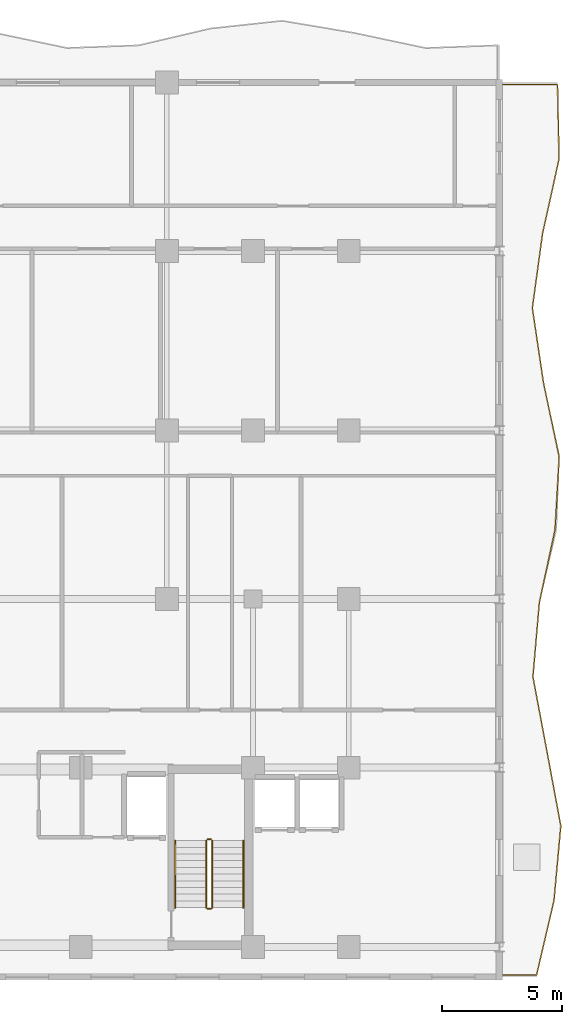
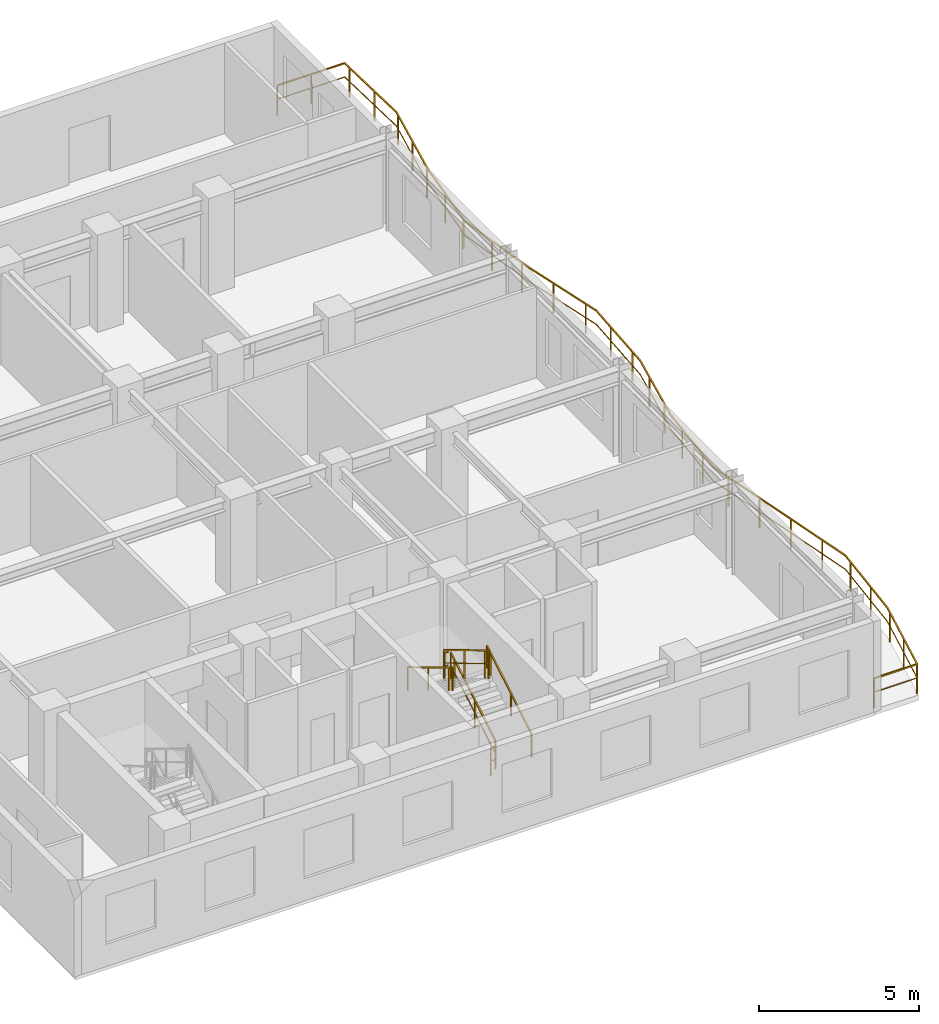
# One storey, part 19 of 20: 7 railings.
"""IFC4 building model written with IfcOpenShell, lengths in metres."""

from ifc_helpers import new_model, si_unit, direction, frame, origin, origin_2d, place, context, subcontext, project, spatial, rectangle, extrude, material, type_object, element, save


model = new_model("IFC4")

# Units and contexts
model_context = context("Model", 3, precision=1e-05, world=origin(), true_north=direction((0.0, 1.0)))
body_context = subcontext(model_context, "Body", "Model", "MODEL_VIEW")
ifc_project = project(units=[si_unit("LENGTHUNIT", "METRE"), si_unit("AREAUNIT", "SQUARE_METRE"), si_unit("VOLUMEUNIT", "CUBIC_METRE"), si_unit("PLANEANGLEUNIT", "RADIAN"), si_unit("MASSUNIT", "GRAM", prefix="KILO")], contexts=[model_context])

# Site, building, storey
site_placement = place(None, origin())
site = spatial("IfcSite", under=ifc_project, at=site_placement, CompositionType="ELEMENT")
building_placement = place(site_placement, origin())
building = spatial("IfcBuilding", under=site, at=building_placement, Name="Kaliganga Portal Commons", CompositionType="ELEMENT")
storey_placement = place(building_placement, frame((0.0, 0.0, 216.60009765625)))
storey = spatial("IfcBuildingStorey", under=building, at=storey_placement, Name="L55", CompositionType="ELEMENT", Elevation=216.60009765625)

# Railings
ifc_material_1 = material(Name="Laminated Safety Glass and Stainless Steel 316", Category="steel")
railing_type_1 = type_object("IfcRailingType", Name="RLG-BAL-1150", PredefinedType="BALUSTRADE", material=ifc_material_1)
railing_1_placement = place(storey_placement, frame((60.70751953125, 5.879638671875, 0.0)))
element("IfcRailing", 1, at=railing_1_placement, inside=storey, type_object=railing_type_1, Name="Balcony Guardrail L55 balc_east", PredefinedType="BALUSTRADE", context=body_context, shape_type="SweptSolid", body=[
    extrude(rectangle(XDim=0.048095703125, YDim=0.048095703125, at=origin_2d()), frame((0.0, 0.0, 1.1259765625), z_axis=(0.999999987654, 0.000157133876, 0.0), x_axis=(-0.000157133876, 0.999999987654, 0.0)), (0.0, 0.0, 1.0), 1.5537109375),
    extrude(rectangle(XDim=0.028076171875, YDim=0.028076171875, at=origin_2d()), frame((0.0, 0.0, 0.597900390625), z_axis=(0.999999987654, 0.000157133876, 0.0), x_axis=(-0.000157133876, 0.999999987654, 0.0)), (0.0, 0.0, 1.0), 1.5537109375),
    extrude(rectangle(XDim=0.048095703125, YDim=0.048095703125, at=origin_2d()), frame((1.5537109375, 0.000244140625, 1.1259765625), z_axis=(0.227972161022, 0.973667650587, 0.0), x_axis=(-0.973667650587, 0.227972161022, 0.0)), (0.0, 0.0, 1.0), 3.200927734375),
    extrude(rectangle(XDim=0.028076171875, YDim=0.028076171875, at=origin_2d()), frame((1.5537109375, 0.000244140625, 0.597900390625), z_axis=(0.227972161022, 0.973667650587, 0.0), x_axis=(-0.973667650587, 0.227972161022, 0.0)), (0.0, 0.0, 1.0), 3.200927734375),
    extrude(rectangle(XDim=0.048095703125, YDim=0.048095703125, at=origin_2d()), frame((2.283447265625, 3.116943359375, 1.1259765625), z_axis=(0.090810075903, 0.995868229293, 0.0), x_axis=(-0.995868229293, 0.090810075903, 0.0)), (0.0, 0.0, 1.0), 3.12939453125),
    extrude(rectangle(XDim=0.028076171875, YDim=0.028076171875, at=origin_2d()), frame((2.283447265625, 3.116943359375, 0.597900390625), z_axis=(0.090810075903, 0.995868229293, 0.0), x_axis=(-0.995868229293, 0.090810075903, 0.0)), (0.0, 0.0, 1.0), 3.12939453125),
    extrude(rectangle(XDim=0.048095703125, YDim=0.048095703125, at=origin_2d()), frame((2.567626953125, 6.2333984375, 1.1259765625), z_axis=(-0.182888876021, 0.983133591648, 0.0), x_axis=(-0.983133591648, -0.182888876021, 0.0)), (0.0, 0.0, 1.0), 3.17041015625),
    extrude(rectangle(XDim=0.028076171875, YDim=0.028076171875, at=origin_2d()), frame((2.567626953125, 6.2333984375, 0.597900390625), z_axis=(-0.182888876021, 0.983133591648, 0.0), x_axis=(-0.983133591648, -0.182888876021, 0.0)), (0.0, 0.0, 1.0), 3.17041015625),
    extrude(rectangle(XDim=0.048095703125, YDim=0.048095703125, at=origin_2d()), frame((1.98779296875, 9.350341796875, 1.1259765625), z_axis=(-0.184688263492, 0.982797153704, 0.0), x_axis=(-0.982797153704, -0.184688263492, 0.0)), (0.0, 0.0, 1.0), 3.171142578125),
    extrude(rectangle(XDim=0.028076171875, YDim=0.028076171875, at=origin_2d()), frame((1.98779296875, 9.350341796875, 0.597900390625), z_axis=(-0.184688263492, 0.982797153704, 0.0), x_axis=(-0.982797153704, -0.184688263492, 0.0)), (0.0, 0.0, 1.0), 3.171142578125),
    extrude(rectangle(XDim=0.048095703125, YDim=0.048095703125, at=origin_2d()), frame((1.402099609375, 12.467041015625, 1.1259765625), z_axis=(0.08623559638, 0.996274772298, 0.0), x_axis=(-0.996274772298, 0.08623559638, 0.0)), (0.0, 0.0, 1.0), 3.12841796875),
    extrude(rectangle(XDim=0.028076171875, YDim=0.028076171875, at=origin_2d()), frame((1.402099609375, 12.467041015625, 0.597900390625), z_axis=(0.08623559638, 0.996274772298, 0.0), x_axis=(-0.996274772298, 0.08623559638, 0.0)), (0.0, 0.0, 1.0), 3.12841796875),
    extrude(rectangle(XDim=0.048095703125, YDim=0.048095703125, at=origin_2d()), frame((1.671875, 15.583740234375, 1.1259765625), z_axis=(0.210259065913, 0.977645705356, 0.0), x_axis=(-0.977645705356, 0.210259065913, 0.0)), (0.0, 0.0, 1.0), 3.10595703125),
    extrude(rectangle(XDim=0.028076171875, YDim=0.028076171875, at=origin_2d()), frame((1.671875, 15.583740234375, 0.597900390625), z_axis=(0.210259065913, 0.977645705356, 0.0), x_axis=(-0.977645705356, 0.210259065913, 0.0)), (0.0, 0.0, 1.0), 3.10595703125),
    extrude(rectangle(XDim=0.048095703125, YDim=0.048095703125, at=origin_2d()), frame((2.324951171875, 18.620361328125, 1.1259765625), z_axis=(0.057264488798, 0.998359042791, 0.0), x_axis=(-0.998359042791, 0.057264488798, 0.0)), (0.0, 0.0, 1.0), 3.0439453125),
    extrude(rectangle(XDim=0.028076171875, YDim=0.028076171875, at=origin_2d()), frame((2.324951171875, 18.620361328125, 0.597900390625), z_axis=(0.057264488798, 0.998359042791, 0.0), x_axis=(-0.998359042791, 0.057264488798, 0.0)), (0.0, 0.0, 1.0), 3.0439453125),
    extrude(rectangle(XDim=0.048095703125, YDim=0.048095703125, at=origin_2d()), frame((2.499267578125, 21.659423828125, 1.1259765625), z_axis=(-0.206710099193, 0.978402235735, 0.0), x_axis=(-0.978402235735, -0.206710099193, 0.0)), (0.0, 0.0, 1.0), 3.18310546875),
    extrude(rectangle(XDim=0.028076171875, YDim=0.028076171875, at=origin_2d()), frame((2.499267578125, 21.659423828125, 0.597900390625), z_axis=(-0.206710099193, 0.978402235735, 0.0), x_axis=(-0.978402235735, -0.206710099193, 0.0)), (0.0, 0.0, 1.0), 3.18310546875),
    extrude(rectangle(XDim=0.048095703125, YDim=0.048095703125, at=origin_2d()), frame((1.84130859375, 24.773681640625, 1.1259765625), z_axis=(-0.146983899754, 0.989138884694, 0.0), x_axis=(-0.989138884694, -0.146983899754, 0.0)), (0.0, 0.0, 1.0), 3.15087890625),
    extrude(rectangle(XDim=0.028076171875, YDim=0.028076171875, at=origin_2d()), frame((1.84130859375, 24.773681640625, 0.597900390625), z_axis=(-0.146983899754, 0.989138884694, 0.0), x_axis=(-0.989138884694, -0.146983899754, 0.0)), (0.0, 0.0, 1.0), 3.15087890625),
    extrude(rectangle(XDim=0.048095703125, YDim=0.048095703125, at=origin_2d()), frame((1.378173828125, 27.890380859375, 1.1259765625), z_axis=(0.135736561489, 0.990744965102, 0.0), x_axis=(-0.990744965102, 0.135736561489, 0.0)), (0.0, 0.0, 1.0), 3.145751953125),
    extrude(rectangle(XDim=0.028076171875, YDim=0.028076171875, at=origin_2d()), frame((1.378173828125, 27.890380859375, 0.597900390625), z_axis=(0.135736561489, 0.990744965102, 0.0), x_axis=(-0.990744965102, 0.135736561489, 0.0)), (0.0, 0.0, 1.0), 3.145751953125),
    extrude(rectangle(XDim=0.048095703125, YDim=0.048095703125, at=origin_2d()), frame((1.80517578125, 31.007080078125, 1.1259765625), z_axis=(0.216063867395, 0.976379232269, 0.0), x_axis=(-0.976379232269, 0.216063867395, 0.0)), (0.0, 0.0, 1.0), 3.192138671875),
    extrude(rectangle(XDim=0.028076171875, YDim=0.028076171875, at=origin_2d()), frame((1.80517578125, 31.007080078125, 0.597900390625), z_axis=(0.216063867395, 0.976379232269, 0.0), x_axis=(-0.976379232269, 0.216063867395, 0.0)), (0.0, 0.0, 1.0), 3.192138671875),
    extrude(rectangle(XDim=0.048095703125, YDim=0.048095703125, at=origin_2d()), frame((2.494873046875, 34.123779296875, 1.1259765625), z_axis=(-0.021145200699, 0.999776415249, 0.0), x_axis=(-0.999776415249, -0.021145200699, 0.0)), (0.0, 0.0, 1.0), 3.117431640625),
    extrude(rectangle(XDim=0.028076171875, YDim=0.028076171875, at=origin_2d()), frame((2.494873046875, 34.123779296875, 0.597900390625), z_axis=(-0.021145200699, 0.999776415249, 0.0), x_axis=(-0.999776415249, -0.021145200699, 0.0)), (0.0, 0.0, 1.0), 3.117431640625),
    extrude(rectangle(XDim=0.048095703125, YDim=0.048095703125, at=origin_2d()), frame((2.428955078125, 37.240478515625, 1.1259765625), z_axis=(-0.999999994949, 0.000100512614, 0.0), x_axis=(-0.000100512614, -0.999999994949, 0.0)), (0.0, 0.0, 1.0), 2.428955078125),
    extrude(rectangle(XDim=0.028076171875, YDim=0.028076171875, at=origin_2d()), frame((2.428955078125, 37.240478515625, 0.597900390625), z_axis=(-0.999999994949, 0.000100512614, 0.0), x_axis=(-0.000100512614, -0.999999994949, 0.0)), (0.0, 0.0, 1.0), 2.428955078125),
    extrude(rectangle(XDim=0.0419921875, YDim=0.0419921875, at=origin_2d()), origin(), (0.0, 0.0, 1.0), 1.101806640625),
    extrude(rectangle(XDim=0.0419921875, YDim=0.0419921875, at=origin_2d()), frame((1.5537109375, 0.000244140625, 0.0)), (0.0, 0.0, 1.0), 1.101806640625),
    extrude(rectangle(XDim=0.0419921875, YDim=0.0419921875, at=origin_2d()), frame((1.883544921875, 1.408447265625, 0.0)), (0.0, 0.0, 1.0), 1.101806640625),
    extrude(rectangle(XDim=0.0419921875, YDim=0.0419921875, at=origin_2d()), frame((2.225341796875, 2.868896484375, 0.0)), (0.0, 0.0, 1.0), 1.101806640625),
    extrude(rectangle(XDim=0.0419921875, YDim=0.0419921875, at=origin_2d()), frame((2.396484375, 4.357177734375, 0.0)), (0.0, 0.0, 1.0), 1.101806640625),
    extrude(rectangle(XDim=0.0419921875, YDim=0.0419921875, at=origin_2d()), frame((2.53271484375, 5.850830078125, 0.0)), (0.0, 0.0, 1.0), 1.101806640625),
    extrude(rectangle(XDim=0.0419921875, YDim=0.0419921875, at=origin_2d()), frame((2.363525390625, 7.33056640625, 0.0)), (0.0, 0.0, 1.0), 1.101806640625),
    extrude(rectangle(XDim=0.0419921875, YDim=0.0419921875, at=origin_2d()), frame((2.089111328125, 8.80517578125, 0.0)), (0.0, 0.0, 1.0), 1.101806640625),
    extrude(rectangle(XDim=0.0419921875, YDim=0.0419921875, at=origin_2d()), frame((1.813232421875, 10.279541015625, 0.0)), (0.0, 0.0, 1.0), 1.101806640625),
    extrude(rectangle(XDim=0.0419921875, YDim=0.0419921875, at=origin_2d()), frame((1.5361328125, 11.753662109375, 0.0)), (0.0, 0.0, 1.0), 1.101806640625),
    extrude(rectangle(XDim=0.0419921875, YDim=0.0419921875, at=origin_2d()), frame((1.46875, 13.23828125, 0.0)), (0.0, 0.0, 1.0), 1.101806640625),
    extrude(rectangle(XDim=0.0419921875, YDim=0.0419921875, at=origin_2d()), frame((1.59814453125, 14.73291015625, 0.0)), (0.0, 0.0, 1.0), 1.101806640625),
    extrude(rectangle(XDim=0.0419921875, YDim=0.0419921875, at=origin_2d()), frame((1.8076171875, 16.215087890625, 0.0)), (0.0, 0.0, 1.0), 1.101806640625),
    extrude(rectangle(XDim=0.0419921875, YDim=0.0419921875, at=origin_2d()), frame((2.123046875, 17.681640625, 0.0)), (0.0, 0.0, 1.0), 1.101806640625),
    extrude(rectangle(XDim=0.0419921875, YDim=0.0419921875, at=origin_2d()), frame((2.35595703125, 19.159423828125, 0.0)), (0.0, 0.0, 1.0), 1.101806640625),
    extrude(rectangle(XDim=0.0419921875, YDim=0.0419921875, at=origin_2d()), frame((2.441650390625, 20.65673828125, 0.0)), (0.0, 0.0, 1.0), 1.101806640625),
    extrude(rectangle(XDim=0.0419921875, YDim=0.0419921875, at=origin_2d()), frame((2.396728515625, 22.14453125, 0.0)), (0.0, 0.0, 1.0), 1.101806640625),
    extrude(rectangle(XDim=0.0419921875, YDim=0.0419921875, at=origin_2d()), frame((2.086669921875, 23.612060546875, 0.0)), (0.0, 0.0, 1.0), 1.101806640625),
    extrude(rectangle(XDim=0.0419921875, YDim=0.0419921875, at=origin_2d()), frame((1.79541015625, 25.0830078125, 0.0)), (0.0, 0.0, 1.0), 1.101806640625),
    extrude(rectangle(XDim=0.0419921875, YDim=0.0419921875, at=origin_2d()), frame((1.574951171875, 26.566650390625, 0.0)), (0.0, 0.0, 1.0), 1.101806640625),
    extrude(rectangle(XDim=0.0419921875, YDim=0.0419921875, at=origin_2d()), frame((1.400146484375, 28.05078125, 0.0)), (0.0, 0.0, 1.0), 1.101806640625),
    extrude(rectangle(XDim=0.0419921875, YDim=0.0419921875, at=origin_2d()), frame((1.603759765625, 29.536865234375, 0.0)), (0.0, 0.0, 1.0), 1.101806640625),
    extrude(rectangle(XDim=0.0419921875, YDim=0.0419921875, at=origin_2d()), frame((1.80859375, 31.022705078125, 0.0)), (0.0, 0.0, 1.0), 1.101806640625),
    extrude(rectangle(XDim=0.0419921875, YDim=0.0419921875, at=origin_2d()), frame((2.1328125, 32.4873046875, 0.0)), (0.0, 0.0, 1.0), 1.101806640625),
    extrude(rectangle(XDim=0.0419921875, YDim=0.0419921875, at=origin_2d()), frame((2.456787109375, 33.951904296875, 0.0)), (0.0, 0.0, 1.0), 1.101806640625),
    extrude(rectangle(XDim=0.0419921875, YDim=0.0419921875, at=origin_2d()), frame((2.466796875, 35.447509765625, 0.0)), (0.0, 0.0, 1.0), 1.101806640625),
    extrude(rectangle(XDim=0.0419921875, YDim=0.0419921875, at=origin_2d()), frame((2.43505859375, 36.947021484375, 0.0)), (0.0, 0.0, 1.0), 1.101806640625),
    extrude(rectangle(XDim=0.0419921875, YDim=0.0419921875, at=origin_2d()), frame((1.222412109375, 37.240478515625, 0.0)), (0.0, 0.0, 1.0), 1.101806640625),
    extrude(rectangle(XDim=0.0419921875, YDim=0.0419921875, at=origin_2d()), frame((0.0, 37.24072265625, 0.0)), (0.0, 0.0, 1.0), 1.101806640625),
])
ifc_material_2 = material(Name="Galvanized Painted Steel Balustrade", Category="steel")
railing_type_2 = type_object("IfcRailingType", Name="RLG-STAIR-GRD", PredefinedType="GUARDRAIL", material=ifc_material_2)
railing_2_placement = place(storey_placement, frame((48.699951171875, 8.699951171875, 0.16796875)))
element("IfcRailing", 2, at=railing_2_placement, inside=storey, type_object=railing_type_2, Name="L55 ST-B2 stair guard 1", PredefinedType="GUARDRAIL", context=body_context, shape_type="SweptSolid", body=[
    extrude(rectangle(XDim=0.048095703125, YDim=0.048095703125, at=origin_2d()), frame((0.0, 0.0, 1.072021484375), z_axis=(0.0, 0.857242210791, 0.514913383045), x_axis=(-1.0, 0.0, 0.0)), (0.0, 0.0, 1.0), 3.266357421875),
    extrude(rectangle(XDim=0.028076171875, YDim=0.028076171875, at=origin_2d()), frame((0.0, 0.0, 0.572021484375), z_axis=(0.0, 0.857242210791, 0.514913383045), x_axis=(-1.0, 0.0, 0.0)), (0.0, 0.0, 1.0), 3.266357421875),
    extrude(rectangle(XDim=0.0419921875, YDim=0.0419921875, at=origin_2d()), origin(), (0.0, 0.0, 1.0), 1.052001953125),
    extrude(rectangle(XDim=0.0419921875, YDim=0.0419921875, at=origin_2d()), frame((0.0, 1.285888671875, 0.7724609375)), (0.0, 0.0, 1.0), 1.052001953125),
    extrude(rectangle(XDim=0.0419921875, YDim=0.0419921875, at=origin_2d()), frame((0.0, 2.57177734375, 1.544677734375)), (0.0, 0.0, 1.0), 1.052001953125),
    extrude(rectangle(XDim=0.0419921875, YDim=0.0419921875, at=origin_2d()), frame((0.0, 2.800048828125, 1.681884765625)), (0.0, 0.0, 1.0), 1.052001953125),
])
railing_3_placement = place(storey_placement, frame((48.64990234375, 11.550048828125, 1.849853515625)))
element("IfcRailing", 3, at=railing_3_placement, inside=storey, type_object=railing_type_2, Name="L55 ST-B2 stair guard 2", PredefinedType="GUARDRAIL", context=body_context, shape_type="SweptSolid", body=[
    extrude(rectangle(XDim=0.048095703125, YDim=0.048095703125, at=origin_2d()), frame((0.0, 0.0, 1.076171875), z_axis=(-1.0, 0.0, 0.0), x_axis=(0.0, -1.0, 0.0)), (0.0, 0.0, 1.0), 0.14990234375),
    extrude(rectangle(XDim=0.028076171875, YDim=0.028076171875, at=origin_2d()), frame((0.0, 0.0, 0.572021484375), z_axis=(-1.0, 0.0, 0.0), x_axis=(0.0, -1.0, 0.0)), (0.0, 0.0, 1.0), 0.14990234375),
    extrude(rectangle(XDim=0.0419921875, YDim=0.0419921875, at=origin_2d()), frame((-0.14990234375, 0.0, 0.0)), (0.0, 0.0, 1.0), 1.052001953125),
])
railing_4_placement = place(storey_placement, frame((48.449951171875, 11.5, 2.01806640625)))
element("IfcRailing", 4, at=railing_4_placement, inside=storey, type_object=railing_type_2, Name="L55 ST-B2 stair guard 3", PredefinedType="GUARDRAIL", context=body_context, shape_type="SweptSolid", body=[
    extrude(rectangle(XDim=0.048095703125, YDim=0.048095703125, at=origin_2d()), frame((0.0, 0.0, 1.072021484375), z_axis=(0.0, -0.857242210791, 0.514913383045), x_axis=(1.0, 0.0, 0.0)), (0.0, 0.0, 1.0), 3.266357421875),
    extrude(rectangle(XDim=0.028076171875, YDim=0.028076171875, at=origin_2d()), frame((0.0, 0.0, 0.572021484375), z_axis=(0.0, -0.857242210791, 0.514913383045), x_axis=(1.0, 0.0, 0.0)), (0.0, 0.0, 1.0), 3.266357421875),
    extrude(rectangle(XDim=0.0419921875, YDim=0.0419921875, at=origin_2d()), origin(), (0.0, 0.0, 1.0), 1.052001953125),
    extrude(rectangle(XDim=0.0419921875, YDim=0.0419921875, at=origin_2d()), frame((0.0, -1.285888671875, 0.7724609375)), (0.0, 0.0, 1.0), 1.052001953125),
    extrude(rectangle(XDim=0.0419921875, YDim=0.0419921875, at=origin_2d()), frame((0.0, -2.57177734375, 1.544677734375)), (0.0, 0.0, 1.0), 1.052001953125),
    extrude(rectangle(XDim=0.0419921875, YDim=0.0419921875, at=origin_2d()), frame((0.0, -2.800048828125, 1.681884765625)), (0.0, 0.0, 1.0), 1.052001953125),
])
railing_5_placement = place(storey_placement, frame((48.64990234375, 8.64990234375, 0.0)))
element("IfcRailing", 5, at=railing_5_placement, inside=storey, type_object=railing_type_2, Name="L55 ST-B2 stair guard 4", PredefinedType="GUARDRAIL", context=body_context, shape_type="SweptSolid", body=[
    extrude(rectangle(XDim=0.048095703125, YDim=0.048095703125, at=origin_2d()), frame((0.0, 0.0, 1.076171875), z_axis=(-1.0, 0.0, 0.0), x_axis=(0.0, -1.0, 0.0)), (0.0, 0.0, 1.0), 0.14990234375),
    extrude(rectangle(XDim=0.028076171875, YDim=0.028076171875, at=origin_2d()), frame((0.0, 0.0, 0.572021484375), z_axis=(-1.0, 0.0, 0.0), x_axis=(0.0, -1.0, 0.0)), (0.0, 0.0, 1.0), 0.14990234375),
    extrude(rectangle(XDim=0.0419921875, YDim=0.0419921875, at=origin_2d()), frame((-0.14990234375, 0.0, 0.0)), (0.0, 0.0, 1.0), 1.052001953125),
])
ifc_material_3 = material(Name="Brushed Stainless Steel 316", Category="steel")
railing_type_3 = type_object("IfcRailingType", Name="RLG-STAIR-HR", PredefinedType="HANDRAIL", material=ifc_material_3)
railing_6_placement = place(storey_placement, frame((50.0, 8.699951171875, 0.16796875)))
element("IfcRailing", 6, at=railing_6_placement, inside=storey, type_object=railing_type_3, Name="L55 ST-B2 stair handrail 1", PredefinedType="HANDRAIL", context=body_context, shape_type="SweptSolid", body=[
    extrude(rectangle(XDim=0.048095703125, YDim=0.048095703125, at=origin_2d()), frame((0.0, 0.0, 0.871826171875), z_axis=(0.0, 0.857242210791, 0.514913383045), x_axis=(-1.0, 0.0, 0.0)), (0.0, 0.0, 1.0), 3.266357421875),
    extrude(rectangle(XDim=0.0419921875, YDim=0.0419921875, at=origin_2d()), origin(), (0.0, 0.0, 1.0), 0.851806640625),
    extrude(rectangle(XDim=0.0419921875, YDim=0.0419921875, at=origin_2d()), frame((0.0, 1.285888671875, 0.7724609375)), (0.0, 0.0, 1.0), 0.851806640625),
    extrude(rectangle(XDim=0.0419921875, YDim=0.0419921875, at=origin_2d()), frame((0.0, 2.57177734375, 1.544677734375)), (0.0, 0.0, 1.0), 0.851806640625),
    extrude(rectangle(XDim=0.0419921875, YDim=0.0419921875, at=origin_2d()), frame((0.0, 2.800048828125, 1.681884765625)), (0.0, 0.0, 1.0), 0.851806640625),
])
railing_7_placement = place(storey_placement, frame((47.14990234375, 11.5, 2.01806640625)))
element("IfcRailing", 7, at=railing_7_placement, inside=storey, type_object=railing_type_3, Name="L55 ST-B2 stair handrail 2", PredefinedType="HANDRAIL", context=body_context, shape_type="SweptSolid", body=[
    extrude(rectangle(XDim=0.048095703125, YDim=0.048095703125, at=origin_2d()), frame((0.0, 0.0, 0.871826171875), z_axis=(0.0, -0.857242210791, 0.514913383045), x_axis=(1.0, 0.0, 0.0)), (0.0, 0.0, 1.0), 3.266357421875),
    extrude(rectangle(XDim=0.0419921875, YDim=0.0419921875, at=origin_2d()), origin(), (0.0, 0.0, 1.0), 0.851806640625),
    extrude(rectangle(XDim=0.0419921875, YDim=0.0419921875, at=origin_2d()), frame((0.0, -1.285888671875, 0.7724609375)), (0.0, 0.0, 1.0), 0.851806640625),
    extrude(rectangle(XDim=0.0419921875, YDim=0.0419921875, at=origin_2d()), frame((0.0, -2.57177734375, 1.544677734375)), (0.0, 0.0, 1.0), 0.851806640625),
    extrude(rectangle(XDim=0.0419921875, YDim=0.0419921875, at=origin_2d()), frame((0.0, -2.800048828125, 1.681884765625)), (0.0, 0.0, 1.0), 0.851806640625),
])

save(model, "model.ifc")
